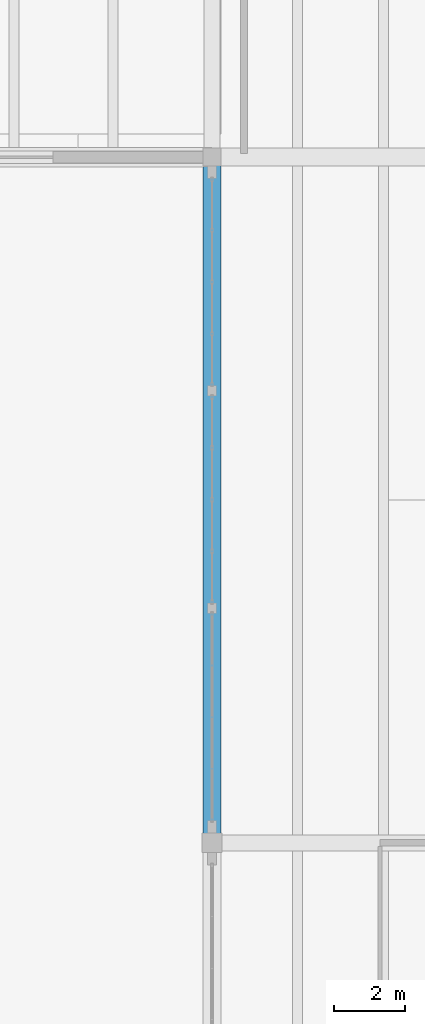
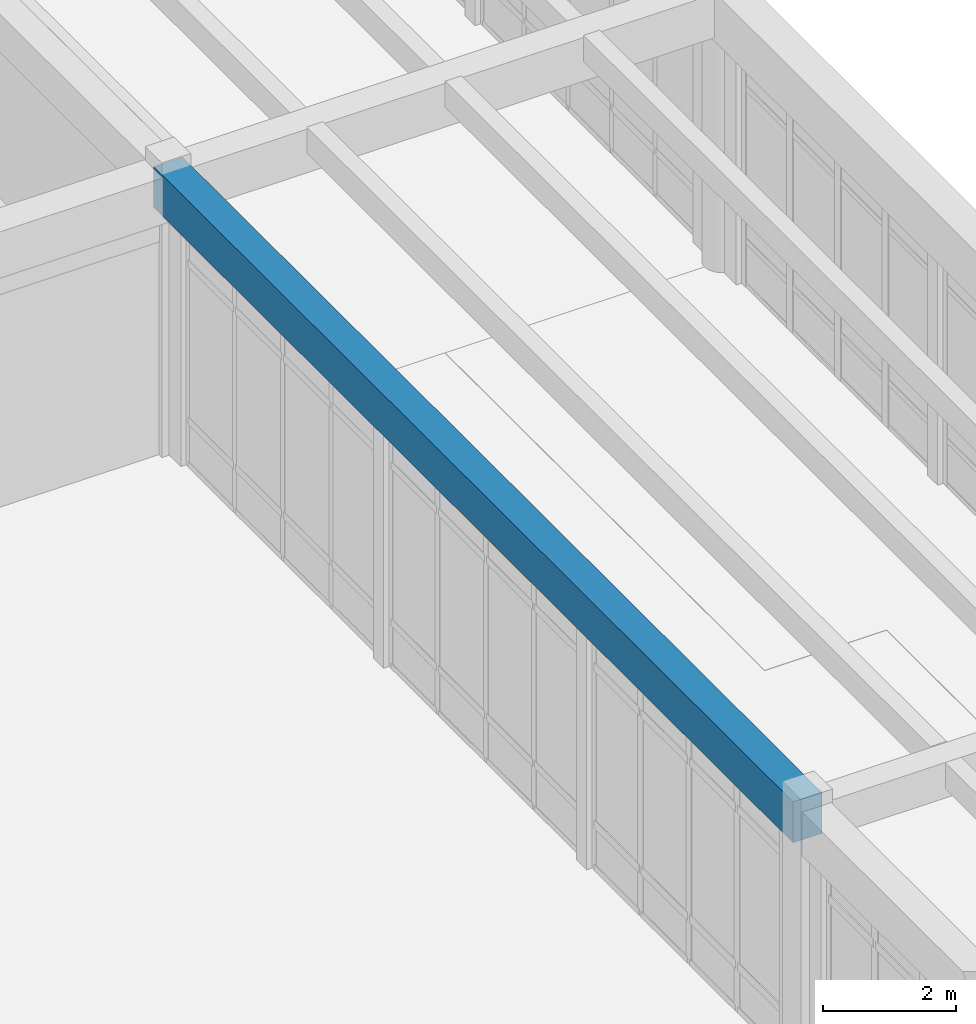
# One storey, part 42 of 138: 1 beam.
"""IFC4 building model written with IfcOpenShell, lengths in metres."""

from ifc_helpers import new_model, si_unit, direction, frame, origin, origin_2d, place, context, subcontext, project, spatial, rectangle, extrude, material, material_profile, profile_set, type_object, element, save


model = new_model("IFC4")

# Units and contexts
model_context = context("Model", 3, precision=1e-05, world=origin(), true_north=direction((0.0, 1.0)))
body_context = subcontext(model_context, "Body", "Model", "MODEL_VIEW")
ifc_project = project(units=[si_unit("LENGTHUNIT", "METRE"), si_unit("AREAUNIT", "SQUARE_METRE"), si_unit("VOLUMEUNIT", "CUBIC_METRE"), si_unit("PLANEANGLEUNIT", "RADIAN"), si_unit("MASSUNIT", "GRAM", prefix="KILO")], contexts=[model_context])

# Site, building, storey
site_placement = place(None, origin())
site = spatial("IfcSite", under=ifc_project, at=site_placement, CompositionType="ELEMENT")
building_placement = place(site_placement, origin())
building = spatial("IfcBuilding", under=site, at=building_placement, Name="Fikremerkos Civic Library", CompositionType="ELEMENT")
storey_placement = place(building_placement, origin())
storey = spatial("IfcBuildingStorey", under=building, at=storey_placement, Name="L00", CompositionType="ELEMENT", Elevation=0.0)

# Beam
ifc_material = material(Name="Concrete C40/50", Category="concrete")
ifc_material_profile = material_profile(ifc_material, rectangle(XDim=0.5, YDim=0.75, at=origin_2d()), Name="RC 500x750")
ifc_profile_set = profile_set([ifc_material_profile], Name="Concrete C40/50")
beam_type = type_object("IfcBeamType", Name="Primary girder BM-05 RC 500x750", PredefinedType="BEAM", material=ifc_profile_set)
beam_placement = place(storey_placement, frame((124.800048828125, 76.800048828125, 4.804931640625), z_axis=(0.0, 1.0, 0.0), x_axis=(-1.0, 0.0, 0.0)))
element("IfcBeam", 1, at=beam_placement, inside=storey, type_object=beam_type, Name="Primary girder BM-05 L00 grid 11", PredefinedType="BEAM", context=body_context, shape_type="SweptSolid", body=[
    extrude(rectangle(XDim=0.5, YDim=0.75, at=origin_2d()), origin(), (0.0, 0.0, 1.0), 19.199951171875),
])

save(model, "model.ifc")
